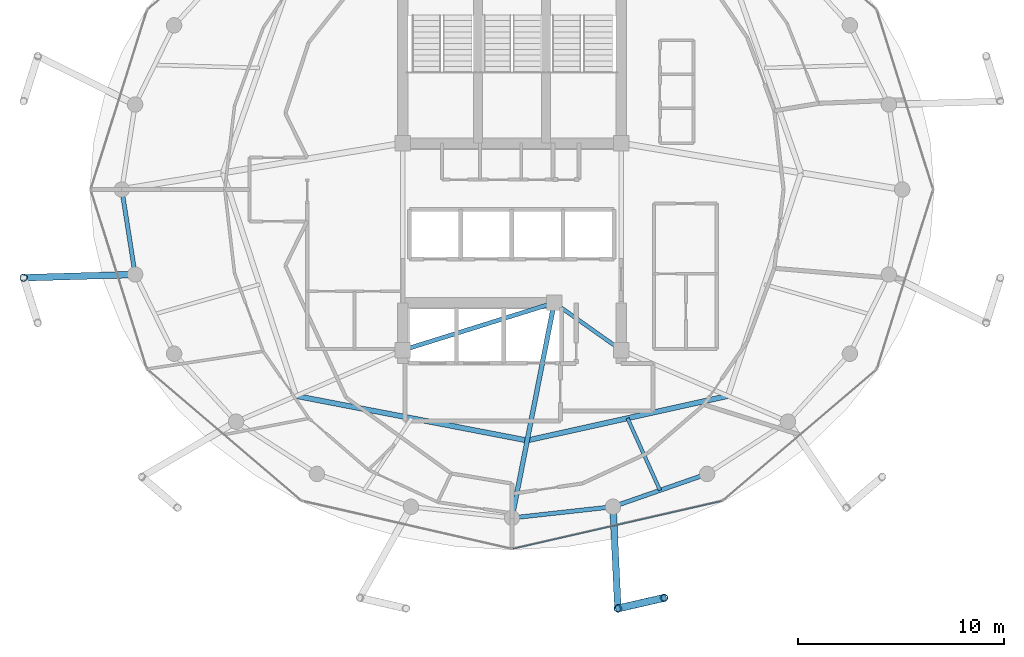
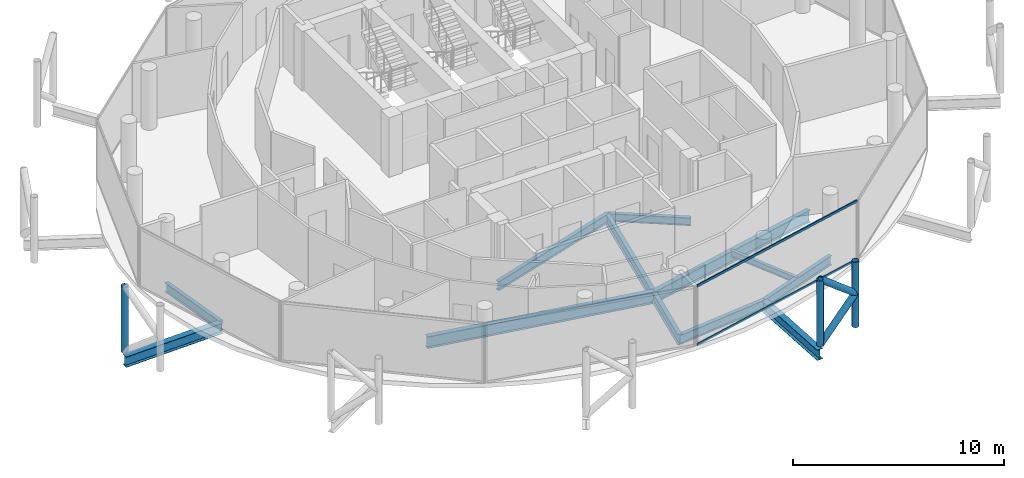
# One storey, part 5 of 24: 11 beams, 7 members, 1 element without a shape of its own.
"""IFC4 building model written with IfcOpenShell, lengths in metres."""

from ifc_helpers import new_model, si_unit, direction, frame, origin, origin_2d, place, context, subcontext, project, spatial, hollow_rectangle, hollow_circle, i_section, extrude, material, layer, layer_set, material_profile, profile_set, type_object, element, aggregate, save


model = new_model("IFC4")

# Units and contexts
model_context = context("Model", 3, precision=1e-05, world=origin(), true_north=direction((0.0, 1.0)))
body_context = subcontext(model_context, "Body", "Model", "MODEL_VIEW")
ifc_project = project(units=[si_unit("LENGTHUNIT", "METRE"), si_unit("AREAUNIT", "SQUARE_METRE"), si_unit("VOLUMEUNIT", "CUBIC_METRE"), si_unit("PLANEANGLEUNIT", "RADIAN"), si_unit("MASSUNIT", "GRAM", prefix="KILO")], contexts=[model_context])

# Site, building, storey
site_placement = place(None, origin())
site = spatial("IfcSite", under=ifc_project, at=site_placement, CompositionType="ELEMENT")
building_placement = place(site_placement, origin())
building = spatial("IfcBuilding", under=site, at=building_placement, Name="Nuhasar Tower", CompositionType="ELEMENT")
storey_placement = place(building_placement, frame((0.0, 0.0, 297.39990234375)))
storey = spatial("IfcBuildingStorey", under=building, at=storey_placement, Name="L74", CompositionType="ELEMENT", Elevation=297.39990234375)

# Beams
ifc_material_1 = material(Name="Steel S355", Category="steel")
ifc_material_profile_1 = material_profile(ifc_material_1, i_section(OverallWidth=0.25390625, OverallDepth=0.68408203125, WebThickness=0.012451171875, FlangeThickness=0.018798828125, at=origin_2d()), Name="W27X94")
ifc_profile_set_1 = profile_set([ifc_material_profile_1], Name="Steel S355")
beam_type_1 = type_object("IfcBeamType", Name="BM-INRING-W27X94", PredefinedType="BEAM", material=ifc_profile_set_1)
beam_1_placement = place(storey_placement, frame((28.51611328125, 16.77392578125, -0.601806640625), z_axis=(0.981944682954, -0.189168283859, 0.0), x_axis=(0.189168283859, 0.981944682954, 0.0)))
element("IfcBeam", 1, at=beam_1_placement, inside=storey, type_object=beam_type_1, Name="L74 Inner Header Beam 01", PredefinedType="BEAM", context=body_context, shape_type="SweptSolid", body=[
    extrude(i_section(OverallWidth=0.25390625, OverallDepth=0.68408203125, WebThickness=0.012451171875, FlangeThickness=0.018798828125, at=origin_2d()), origin(), (0.0, 0.0, 1.0), 11.42822265625),
])
beam_2_placement = place(storey_placement, frame((39.738037109375, 14.612060546875, -0.601806640625), z_axis=(0.97626927806, 0.216560145726, 0.0), x_axis=(-0.216560145726, 0.97626927806, 0.0)))
element("IfcBeam", 2, at=beam_2_placement, inside=storey, type_object=beam_type_1, Name="L74 Inner Header Beam 02", PredefinedType="BEAM", context=body_context, shape_type="SweptSolid", body=[
    extrude(i_section(OverallWidth=0.25390625, OverallDepth=0.68408203125, WebThickness=0.012451171875, FlangeThickness=0.018798828125, at=origin_2d()), origin(), (0.0, 0.0, 1.0), 9.982666015625),
])
ifc_material_profile_2 = material_profile(ifc_material_1, i_section(OverallWidth=0.1708984375, OverallDepth=0.35205078125, WebThickness=0.0068359375, FlangeThickness=0.009765625, at=origin_2d()), Name="W14X30")
ifc_profile_set_2 = profile_set([ifc_material_profile_2], Name="Steel S355")
beam_type_2 = type_object("IfcBeamType", Name="BM-JST-W14X30", PredefinedType="JOIST", material=ifc_profile_set_2)
beam_3_placement = place(storey_placement, frame((44.611083984375, 15.693115234375, -0.435791015625), z_axis=(0.41089033708, -0.911684776057, 0.0), x_axis=(0.911684776057, 0.41089033708, 0.0)))
element("IfcBeam", 3, at=beam_3_placement, inside=storey, type_object=beam_type_2, Name="L74 Secondary Floor Joist 02", PredefinedType="JOIST", context=body_context, shape_type="SweptSolid", body=[
    extrude(i_section(OverallWidth=0.1708984375, OverallDepth=0.35205078125, WebThickness=0.0068359375, FlangeThickness=0.009765625, at=origin_2d()), origin(), (0.0, 0.0, 1.0), 3.842529296875),
])
ifc_material_profile_3 = material_profile(ifc_material_1, i_section(OverallWidth=0.18994140625, OverallDepth=0.45703125, WebThickness=0.009033203125, FlangeThickness=0.014404296875, at=origin_2d()), Name="W18X50")
ifc_profile_set_3 = profile_set([ifc_material_profile_3], Name="Steel S355")
beam_type_3 = type_object("IfcBeamType", Name="BM-RAD-W18X50", PredefinedType="BEAM", material=ifc_profile_set_3)
beam_4_placement = place(storey_placement, frame((41.050048828125, 21.300048828125, -0.489013671875), z_axis=(0.816265428953, -0.577677028708, 0.0), x_axis=(0.577677028708, 0.816265428953, 0.0)))
element("IfcBeam", 4, at=beam_4_placement, inside=storey, type_object=beam_type_3, Name="L74 Core Ring Girder 2", PredefinedType="BEAM", context=body_context, shape_type="SweptSolid", body=[
    extrude(i_section(OverallWidth=0.18994140625, OverallDepth=0.45703125, WebThickness=0.009033203125, FlangeThickness=0.014404296875, at=origin_2d()), origin(), (0.0, 0.0, 1.0), 3.9814453125),
])
ifc_material_profile_4 = material_profile(ifc_material_1, i_section(OverallWidth=0.208984375, OverallDepth=0.528076171875, WebThickness=0.009521484375, FlangeThickness=0.01318359375, at=origin_2d()), Name="W21X55")
ifc_profile_set_4 = profile_set([ifc_material_profile_4], Name="Steel S355")
beam_type_4 = type_object("IfcBeamType", Name="BM-RAD-W21X55", PredefinedType="BEAM", material=ifc_profile_set_4)
beam_5_placement = place(storey_placement, frame((33.699951171875, 19.0, -0.52392578125), z_axis=(0.954363709454, 0.298646798205, 0.0), x_axis=(-0.298646798205, 0.954363709454, 0.0)))
element("IfcBeam", 5, at=beam_5_placement, inside=storey, type_object=beam_type_4, Name="L74 Core Ring Girder 1", PredefinedType="BEAM", context=body_context, shape_type="SweptSolid", body=[
    extrude(i_section(OverallWidth=0.208984375, OverallDepth=0.528076171875, WebThickness=0.009521484375, FlangeThickness=0.01318359375, at=origin_2d()), origin(), (0.0, 0.0, 1.0), 7.70166015625),
])
ifc_material_profile_5 = material_profile(ifc_material_1, i_section(OverallWidth=0.22900390625, OverallDepth=0.612060546875, WebThickness=0.011962890625, FlangeThickness=0.01953125, at=origin_2d()), Name="W24X84")
ifc_profile_set_5 = profile_set([ifc_material_profile_5], Name="Steel S355")
beam_type_5 = type_object("IfcBeamType", Name="BM-RAD-W24X84", PredefinedType="BEAM", material=ifc_profile_set_5)
beam_6_placement = place(storey_placement, frame((41.050048828125, 21.300048828125, -0.56591796875), z_axis=(-0.192508395576, -0.981295326409, 0.0), x_axis=(0.981295326409, -0.192508395576, 0.0)))
element("IfcBeam", 6, at=beam_6_placement, inside=storey, type_object=beam_type_5, Name="L74 Radial Floor Girder 02", PredefinedType="BEAM", context=body_context, shape_type="SweptSolid", body=[
    extrude(i_section(OverallWidth=0.22900390625, OverallDepth=0.612060546875, WebThickness=0.011962890625, FlangeThickness=0.01953125, at=origin_2d()), origin(), (0.0, 0.0, 1.0), 10.649169921875),
])
ifc_material_profile_6 = material_profile(ifc_material_1, i_section(OverallWidth=0.2099609375, OverallDepth=0.537109375, WebThickness=0.010986328125, FlangeThickness=0.017333984375, at=origin_2d()), Name="W21X68")
ifc_profile_set_6 = profile_set([ifc_material_profile_6], Name="Steel S355")
beam_type_6 = type_object("IfcBeamType", Name="BM-RING-W21X68", PredefinedType="SPANDREL", material=ifc_profile_set_6)
beam_7_placement = place(storey_placement, frame((20.050048828125, 26.800048828125, -0.52880859375), z_axis=(0.154612165232, -0.987975241776, 0.0), x_axis=(0.987975241776, 0.154612165232, 0.0)))
element("IfcBeam", 7, at=beam_7_placement, inside=storey, type_object=beam_type_6, Name="L74 Perimeter Ring Spandrel 13", PredefinedType="SPANDREL", context=body_context, shape_type="SweptSolid", body=[
    extrude(i_section(OverallWidth=0.2099609375, OverallDepth=0.537109375, WebThickness=0.010986328125, FlangeThickness=0.017333984375, at=origin_2d()), origin(), (0.0, 0.0, 1.0), 4.17822265625),
])
beam_8_placement = place(storey_placement, frame((39.0, 10.85009765625, -0.52880859375), z_axis=(0.99392889943, 0.110024283128, 0.0), x_axis=(-0.110024283128, 0.99392889943, 0.0)))
element("IfcBeam", 8, at=beam_8_placement, inside=storey, type_object=beam_type_6, Name="L74 Perimeter Ring Spandrel 19", PredefinedType="SPANDREL", context=body_context, shape_type="SweptSolid", body=[
    extrude(i_section(OverallWidth=0.2099609375, OverallDepth=0.537109375, WebThickness=0.010986328125, FlangeThickness=0.017333984375, at=origin_2d()), origin(), (0.0, 0.0, 1.0), 4.93505859375),
])
beam_9_placement = place(storey_placement, frame((43.905029296875, 11.39306640625, -0.52880859375), z_axis=(0.944214043504, 0.329332415729, 0.0), x_axis=(-0.329332415729, 0.944214043504, 0.0)))
element("IfcBeam", 9, at=beam_9_placement, inside=storey, type_object=beam_type_6, Name="L74 Perimeter Ring Spandrel 20", PredefinedType="SPANDREL", context=body_context, shape_type="SweptSolid", body=[
    extrude(i_section(OverallWidth=0.2099609375, OverallDepth=0.537109375, WebThickness=0.010986328125, FlangeThickness=0.017333984375, at=origin_2d()), origin(), (0.0, 0.0, 1.0), 4.840087890625),
])
ifc_material_profile_7 = material_profile(ifc_material_1, i_section(OverallWidth=0.323974609375, OverallDepth=0.611083984375, WebThickness=0.0126953125, FlangeThickness=0.01904296875, at=origin_2d()), Name="W24X104")
ifc_profile_set_7 = profile_set([ifc_material_profile_7], Name="Steel S355")
beam_type_7 = type_object("IfcBeamType", Name="BM-TIE-W24X104", PredefinedType="BEAM", material=ifc_profile_set_7)
beam_10_placement = place(storey_placement, frame((20.696044921875, 22.672119140625, -0.56591796875), z_axis=(-0.999573346236, -0.029208312065, 0.0), x_axis=(0.029208312065, -0.999573346236, 0.0)))
element("IfcBeam", 10, at=beam_10_placement, inside=storey, type_object=beam_type_7, Name="L74 Exoskeleton Node Tie Beam 07", PredefinedType="BEAM", context=body_context, shape_type="SweptSolid", body=[
    extrude(i_section(OverallWidth=0.323974609375, OverallDepth=0.611083984375, WebThickness=0.0126953125, FlangeThickness=0.01904296875, at=origin_2d()), origin(), (0.0, 0.0, 1.0), 5.416259765625),
])
beam_11_placement = place(storey_placement, frame((43.905029296875, 11.39306640625, -0.56591796875), z_axis=(0.048109027225, -0.998842090372, 0.0), x_axis=(0.998842090372, 0.048109027225, 0.0)))
element("IfcBeam", 11, at=beam_11_placement, inside=storey, type_object=beam_type_7, Name="L74 Exoskeleton Node Tie Beam 10", PredefinedType="BEAM", context=body_context, shape_type="SweptSolid", body=[
    extrude(i_section(OverallWidth=0.323974609375, OverallDepth=0.611083984375, WebThickness=0.0126953125, FlangeThickness=0.01904296875, at=origin_2d()), origin(), (0.0, 0.0, 1.0), 4.94775390625),
])

# Curtain wall, members
ifc_material_2 = material(Name="Aluminium 6063-T6", Category="aluminium")
ifc_layer = layer(ifc_material_2, 0.18994140625)
ifc_layer_set = layer_set([ifc_layer], Name="Aluminium 6063-T6")
curtain_wall_type = type_object("IfcCurtainWallType", Name="CW-Z4-PEN", PredefinedType="NOTDEFINED", material=ifc_layer_set)
curtain_wall_placement = place(storey_placement, origin())
curtain_wall = element("IfcCurtainWall", 12, at=curtain_wall_placement, inside=storey, type_object=curtain_wall_type, Name="L74 Unitised Curtain Wall 10", PredefinedType="NOTDEFINED")
ifc_material_profile_8 = material_profile(ifc_material_2, hollow_rectangle(XDim=0.06005859375, YDim=0.135009765625, WallThickness=0.00439453125, at=origin_2d()), Name="CWT-5")
ifc_profile_set_8 = profile_set([ifc_material_profile_8], Name="Aluminium 6063-T6")
member_type_1 = type_object("IfcMemberType", Name="CW-TRN-S5", PredefinedType="USERDEFINED", material=ifc_profile_set_8)
member_1_placement = place(storey_placement, frame((39.05859375, 9.353271484375, 0.030029296875), z_axis=(0.974843752401, 0.222889341163, 0.0), x_axis=(-0.222889341163, 0.974843752401, 0.0)))
member_1 = element("IfcMember", 13, at=member_1_placement, type_object=member_type_1, Name="CW-Z4 transom 1.1", ObjectType="TRANSOM", PredefinedType="USERDEFINED", context=body_context, shape_type="SweptSolid", body=[
    extrude(hollow_rectangle(XDim=0.06005859375, YDim=0.135009765625, WallThickness=0.00439453125, at=origin_2d()), origin(), (0.0, 0.0, 1.0), 10.3740234375),
])
member_2_placement = place(storey_placement, frame((39.05859375, 9.353271484375, 3.420166015625), z_axis=(0.974843752401, 0.222889341163, 0.0), x_axis=(-0.222889341163, 0.974843752401, 0.0)))
member_2 = element("IfcMember", 14, at=member_2_placement, type_object=member_type_1, Name="CW-Z4 transom 1.2", ObjectType="TRANSOM", PredefinedType="USERDEFINED", context=body_context, shape_type="SweptSolid", body=[
    extrude(hollow_rectangle(XDim=0.06005859375, YDim=0.135009765625, WallThickness=0.00439453125, at=origin_2d()), origin(), (0.0, 0.0, 1.0), 10.3740234375),
])
aggregate(curtain_wall, [member_1, member_2])

# Members
ifc_material_3 = material(Name="Steel S460", Category="steel")
ifc_material_profile_9 = material_profile(ifc_material_3, hollow_circle(Radius=0.177734375, WallThickness=0.015869140625, at=origin_2d()), Name="HSS355.6X15.9")
ifc_profile_set_9 = profile_set([ifc_material_profile_9], Name="Steel S460")
member_type_2 = type_object("IfcMemberType", Name="EXO-BRONZE-356", PredefinedType="BRACE", material=ifc_profile_set_9)
for number, where, z_axis, x_axis, name in (
    (15, (15.281982421875, 22.513916015625, 0.0), (0.0, 0.0, 1.0), (1.0, 0.0, 0.0), "L74 Exoskeleton Chord Column EC-07A"),
    (16, (44.14306640625, 6.450927734375, 0.0), (0.0, 0.0, 1.0), (1.0, 0.0, 0.0), "L74 Exoskeleton Chord Column EC-10A"),
    (17, (46.384033203125, 6.967041015625, 0.0), (0.0, 0.0, 1.0), (1.0, 0.0, 0.0), "L74 Exoskeleton Chord Column EC-10B"),
):
    element("IfcMember", number, at=place(storey_placement, frame(where, z_axis=z_axis, x_axis=x_axis)), inside=storey, type_object=member_type_2, Name=name, PredefinedType="BRACE", context=body_context, shape_type="SweptSolid", body=[
        extrude(hollow_circle(Radius=0.177734375, WallThickness=0.015869140625, at=origin_2d()), origin(), (0.0, 0.0, 1.0), 3.800048828125),
    ])
member_3_placement = place(storey_placement, frame((44.14306640625, 6.450927734375, 0.0), z_axis=(0.751221815951, 0.173012628709, 0.636971281571), x_axis=(-0.224433035437, 0.97448951385, 0.0)))
element("IfcMember", 18, at=member_3_placement, inside=storey, type_object=member_type_2, Name="L74 Bronze Diagrid Brace W1-10", PredefinedType="BRACE", context=body_context, shape_type="SweptSolid", body=[
    extrude(hollow_circle(Radius=0.177734375, WallThickness=0.015869140625, at=origin_2d()), origin(), (0.0, 0.0, 1.0), 2.983154296875),
])
member_4_placement = place(storey_placement, frame((46.384033203125, 6.967041015625, 1.900146484375), z_axis=(-0.751260978137, -0.173021648086, 0.636922642103), x_axis=(0.224433035437, -0.97448951385, 0.0)))
element("IfcMember", 19, at=member_4_placement, inside=storey, type_object=member_type_2, Name="L74 Bronze Diagrid Brace W2-10", PredefinedType="BRACE", context=body_context, shape_type="SweptSolid", body=[
    extrude(hollow_circle(Radius=0.177734375, WallThickness=0.015869140625, at=origin_2d()), origin(), (0.0, 0.0, 1.0), 2.98291015625),
])

save(model, "model.ifc")
